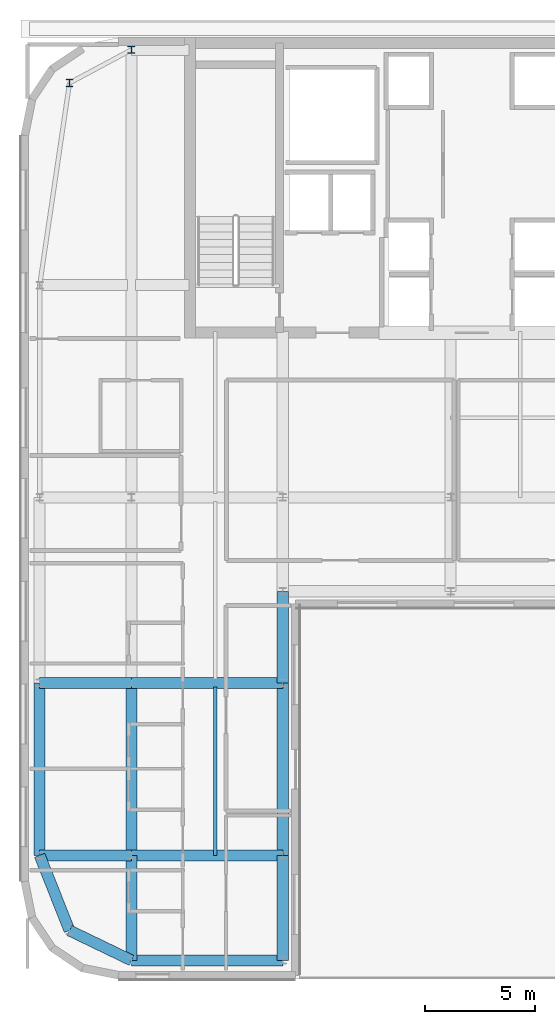
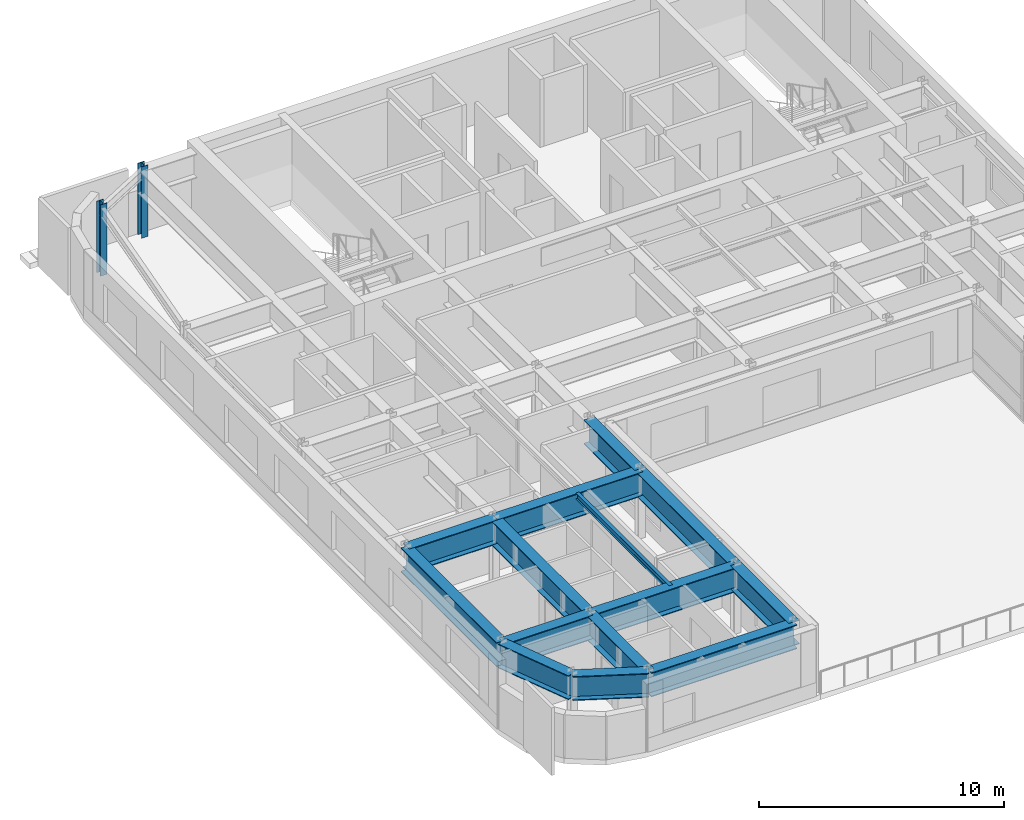
# One storey, part 3 of 16: 14 beams, 2 columns.
"""IFC4 building model written with IfcOpenShell, lengths in metres."""

from ifc_helpers import new_model, si_unit, direction, frame, origin, origin_2d, place, context, subcontext, project, spatial, i_section, extrude, source, transform, mapped, material, material_profile, profile_set, type_object, type_shapes, element, save


model = new_model("IFC4")

# Units and contexts
model_context = context("Model", 3, precision=1e-05, world=origin(), true_north=direction((0.0, 1.0)))
body_context = subcontext(model_context, "Body", "Model", "MODEL_VIEW")
ifc_project = project(units=[si_unit("LENGTHUNIT", "METRE"), si_unit("AREAUNIT", "SQUARE_METRE"), si_unit("VOLUMEUNIT", "CUBIC_METRE"), si_unit("PLANEANGLEUNIT", "RADIAN"), si_unit("MASSUNIT", "GRAM", prefix="KILO")], contexts=[model_context])

# Site, building, storey
site_placement = place(None, origin())
site = spatial("IfcSite", under=ifc_project, at=site_placement, CompositionType="ELEMENT")
building_placement = place(site_placement, origin())
building = spatial("IfcBuilding", under=site, at=building_placement, Name="Tolvann Quenvar Hotel", CompositionType="ELEMENT")
storey_placement = place(building_placement, frame((0.0, 0.0, 241.64990234375)))
storey = spatial("IfcBuildingStorey", under=building, at=storey_placement, Name="L64", CompositionType="ELEMENT", Elevation=241.64990234375)

# Columns
ifc_material = material(Name="Steel Grade 350", Category="steel")
ifc_material_profile_1 = material_profile(ifc_material, i_section(OverallWidth=0.30908203125, OverallDepth=0.321044921875, WebThickness=0.013916015625, FlangeThickness=0.021728515625, FilletRadius=0.0166015625, at=origin_2d()), Name="310UC137")
ifc_profile_set_1 = profile_set([ifc_material_profile_1], Name="Steel Grade 350")
column_type = type_object("IfcColumnType", Name="COL_310UC137", PredefinedType="COLUMN", material=ifc_profile_set_1)
shared_shape_1 = source(origin(), body_context, "Body", "SweptSolid", [
    extrude(i_section(OverallWidth=0.30908203125, OverallDepth=0.321044921875, WebThickness=0.013916015625, FlangeThickness=0.021728515625, FilletRadius=0.0166015625, at=origin_2d()), origin(), (0.0, 0.0, 1.0), 3.550048828125),
])
type_shapes(column_type, [shared_shape_1])
for number, where, z_axis, x_axis, name in (
    (1, (4.800048828125, 43.14990234375, 0.0), (0.0, 0.0, 1.0), (1.0, 0.0, 0.0), "Column BN (L64)"),
    (2, (7.60009765625, 44.64990234375, 0.0), (0.0, 0.0, 1.0), (1.0, 0.0, 0.0), "Column CN (L64)"),
):
    element("IfcColumn", number, at=place(storey_placement, frame(where, z_axis=z_axis, x_axis=x_axis)), inside=storey, type_object=column_type, Name=name, PredefinedType="COLUMN", context=body_context, shape_type="MappedRepresentation", body=[
        mapped(shared_shape_1, transform((0.0, 0.0, 0.0), x_axis=(1.0, 0.0, 0.0), y_axis=(0.0, 1.0, 0.0), z_axis=(0.0, 0.0, 1.0), scale=1.0)),
    ])

# Beams
ifc_material_profile_2 = material_profile(ifc_material, i_section(OverallWidth=0.5, OverallDepth=1.199951171875, WebThickness=0.01611328125, FlangeThickness=0.0400390625, at=origin_2d()), Name="1200WB455")
ifc_profile_set_2 = profile_set([ifc_material_profile_2], Name="Steel Grade 350")
beam_type_1 = type_object("IfcBeamType", Name="BM_TG_1200WB455", PredefinedType="USERDEFINED", material=ifc_profile_set_2)
shared_shape_2 = source(origin(), body_context, "Body", "SweptSolid", [
    extrude(i_section(OverallWidth=0.5, OverallDepth=1.199951171875, WebThickness=0.01611328125, FlangeThickness=0.0400390625, at=origin_2d()), origin(), (0.0, 0.0, 1.0), 4.150146484375),
])
for number, where, z_axis, x_axis, name in (
    (3, (3.449951171875, 8.199951171875, 2.77001953125), (1.0, 0.0, 0.0), (0.0, 1.0, 0.0), "BM-L64-EW-3-B3-C3"),
    (4, (3.449951171875, 16.0, 2.77001953125), (1.0, 0.0, 0.0), (0.0, 1.0, 0.0), "BM-L64-EW-4-B4-C4"),
):
    element("IfcBeam", number, at=place(storey_placement, frame(where, z_axis=z_axis, x_axis=x_axis)), inside=storey, type_object=beam_type_1, Name=name, ObjectType="TRANSFER GIRDER", PredefinedType="USERDEFINED", context=body_context, shape_type="MappedRepresentation", body=[
        mapped(shared_shape_2, transform((0.0, 0.0, 0.0), x_axis=(1.0, 0.0, 0.0), y_axis=(0.0, 1.0, 0.0), z_axis=(0.0, 0.0, 1.0), scale=1.0)),
    ])
shared_shape_3 = source(origin(), body_context, "Body", "SweptSolid", [
    extrude(i_section(OverallWidth=0.5, OverallDepth=1.199951171875, WebThickness=0.01611328125, FlangeThickness=0.0400390625, at=origin_2d()), origin(), (0.0, 0.0, 1.0), 7.800048828125),
])
for number, where, z_axis, x_axis, name in (
    (5, (3.449951171875, 8.199951171875, 2.77001953125), (0.0, 1.0, 0.0), (-1.0, 0.0, 0.0), "BM-L64-NS-B3-B4"),
    (6, (7.60009765625, 8.199951171875, 2.77001953125), (0.0, 1.0, 0.0), (-1.0, 0.0, 0.0), "BM-L64-NS-C3-C4"),
    (7, (14.449951171875, 8.199951171875, 2.77001953125), (0.0, 1.0, 0.0), (-1.0, 0.0, 0.0), "BM-L64-NS-D3-D4"),
):
    element("IfcBeam", number, at=place(storey_placement, frame(where, z_axis=z_axis, x_axis=x_axis)), inside=storey, type_object=beam_type_1, Name=name, ObjectType="TRANSFER GIRDER", PredefinedType="USERDEFINED", context=body_context, shape_type="MappedRepresentation", body=[
        mapped(shared_shape_3, transform((0.0, 0.0, 0.0), x_axis=(1.0, 0.0, 0.0), y_axis=(0.0, 1.0, 0.0), z_axis=(0.0, 0.0, 1.0), scale=1.0)),
    ])
shared_shape_4 = source(origin(), body_context, "Body", "SweptSolid", [
    extrude(i_section(OverallWidth=0.5, OverallDepth=1.199951171875, WebThickness=0.01611328125, FlangeThickness=0.0400390625, at=origin_2d()), origin(), (0.0, 0.0, 1.0), 3.108642578125),
])
beam_1_placement = place(storey_placement, frame((4.800048828125, 4.800048828125, 2.77001953125), z_axis=(0.900759354066, -0.434318530646, 0.0), x_axis=(0.434318530646, 0.900759354066, 0.0)))
element("IfcBeam", 8, at=beam_1_placement, inside=storey, type_object=beam_type_1, Name="BM-L64-EW-2-B2-C2", ObjectType="TRANSFER GIRDER", PredefinedType="USERDEFINED", context=body_context, shape_type="MappedRepresentation", body=[
    mapped(shared_shape_4, transform((0.0, 0.0, 0.0), x_axis=(1.0, 0.0, 0.0), y_axis=(0.0, 1.0, 0.0), z_axis=(0.0, 0.0, 1.0), scale=1.0)),
])
shared_shape_5 = source(origin(), body_context, "Body", "SweptSolid", [
    extrude(i_section(OverallWidth=0.5, OverallDepth=1.199951171875, WebThickness=0.01611328125, FlangeThickness=0.0400390625, at=origin_2d()), origin(), (0.0, 0.0, 1.0), 3.658203125),
])
beam_2_placement = place(storey_placement, frame((4.800048828125, 4.800048828125, 2.77001953125), z_axis=(-0.369065163807, 0.929403521009, 0.0), x_axis=(-0.929403521009, -0.369065163807, 0.0)))
element("IfcBeam", 9, at=beam_2_placement, inside=storey, type_object=beam_type_1, Name="BM-L64-NS-B2-B3", ObjectType="TRANSFER GIRDER", PredefinedType="USERDEFINED", context=body_context, shape_type="MappedRepresentation", body=[
    mapped(shared_shape_5, transform((0.0, 0.0, 0.0), x_axis=(1.0, 0.0, 0.0), y_axis=(0.0, 1.0, 0.0), z_axis=(0.0, 0.0, 1.0), scale=1.0)),
])
shared_shape_6 = source(origin(), body_context, "Body", "SweptSolid", [
    extrude(i_section(OverallWidth=0.5, OverallDepth=1.199951171875, WebThickness=0.01611328125, FlangeThickness=0.0400390625, at=origin_2d()), origin(), (0.0, 0.0, 1.0), 4.75),
])
for number, where, z_axis, x_axis, name in (
    (10, (7.60009765625, 3.449951171875, 2.77001953125), (0.0, 1.0, 0.0), (-1.0, 0.0, 0.0), "BM-L64-NS-C2-C3"),
    (11, (14.449951171875, 3.449951171875, 2.77001953125), (0.0, 1.0, 0.0), (-1.0, 0.0, 0.0), "BM-L64-NS-D2-D3"),
):
    element("IfcBeam", number, at=place(storey_placement, frame(where, z_axis=z_axis, x_axis=x_axis)), inside=storey, type_object=beam_type_1, Name=name, ObjectType="TRANSFER GIRDER", PredefinedType="USERDEFINED", context=body_context, shape_type="MappedRepresentation", body=[
        mapped(shared_shape_6, transform((0.0, 0.0, 0.0), x_axis=(1.0, 0.0, 0.0), y_axis=(0.0, 1.0, 0.0), z_axis=(0.0, 0.0, 1.0), scale=1.0)),
    ])
shared_shape_7 = source(origin(), body_context, "Body", "SweptSolid", [
    extrude(i_section(OverallWidth=0.5, OverallDepth=1.199951171875, WebThickness=0.01611328125, FlangeThickness=0.0400390625, at=origin_2d()), origin(), (0.0, 0.0, 1.0), 6.849853515625),
])
for number, where, z_axis, x_axis, name in (
    (12, (7.60009765625, 3.449951171875, 2.77001953125), (1.0, 0.0, 0.0), (0.0, 1.0, 0.0), "BM-L64-EW-2-C2-D2"),
    (13, (7.60009765625, 8.199951171875, 2.77001953125), (1.0, 0.0, 0.0), (0.0, 1.0, 0.0), "BM-L64-EW-3-C3-D3"),
    (14, (7.60009765625, 16.0, 2.77001953125), (1.0, 0.0, 0.0), (0.0, 1.0, 0.0), "BM-L64-EW-4-C4-D4"),
):
    element("IfcBeam", number, at=place(storey_placement, frame(where, z_axis=z_axis, x_axis=x_axis)), inside=storey, type_object=beam_type_1, Name=name, ObjectType="TRANSFER GIRDER", PredefinedType="USERDEFINED", context=body_context, shape_type="MappedRepresentation", body=[
        mapped(shared_shape_7, transform((0.0, 0.0, 0.0), x_axis=(1.0, 0.0, 0.0), y_axis=(0.0, 1.0, 0.0), z_axis=(0.0, 0.0, 1.0), scale=1.0)),
    ])
shared_shape_8 = source(origin(), body_context, "Body", "SweptSolid", [
    extrude(i_section(OverallWidth=0.5, OverallDepth=1.199951171875, WebThickness=0.01611328125, FlangeThickness=0.0400390625, at=origin_2d()), origin(), (0.0, 0.0, 1.0), 4.14990234375),
])
type_shapes(beam_type_1, [shared_shape_2, shared_shape_3, shared_shape_4, shared_shape_5, shared_shape_6, shared_shape_7, shared_shape_8])
beam_3_placement = place(storey_placement, frame((14.449951171875, 16.0, 2.77001953125), z_axis=(0.0, 1.0, 0.0), x_axis=(-1.0, 0.0, 0.0)))
element("IfcBeam", 15, at=beam_3_placement, inside=storey, type_object=beam_type_1, Name="BM-L64-NS-D4-D4P", ObjectType="TRANSFER GIRDER", PredefinedType="USERDEFINED", context=body_context, shape_type="MappedRepresentation", body=[
    mapped(shared_shape_8, transform((0.0, 0.0, 0.0), x_axis=(1.0, 0.0, 0.0), y_axis=(0.0, 1.0, 0.0), z_axis=(0.0, 0.0, 1.0), scale=1.0)),
])
ifc_material_profile_3 = material_profile(ifc_material, i_section(OverallWidth=0.166015625, OverallDepth=0.306884765625, WebThickness=0.006591796875, FlangeThickness=0.01171875, FilletRadius=0.011474609375, at=origin_2d()), Name="310UB46")
ifc_profile_set_3 = profile_set([ifc_material_profile_3], Name="Steel Grade 350")
beam_type_2 = type_object("IfcBeamType", Name="BM_JOIST_310UB46", PredefinedType="JOIST", material=ifc_profile_set_3)
shared_shape_9 = source(origin(), body_context, "Body", "SweptSolid", [
    extrude(i_section(OverallWidth=0.166015625, OverallDepth=0.306884765625, WebThickness=0.006591796875, FlangeThickness=0.01171875, FilletRadius=0.011474609375, at=origin_2d()), origin(), (0.0, 0.0, 1.0), 7.614990234375),
])
type_shapes(beam_type_2, [shared_shape_9])
beam_4_placement = place(storey_placement, frame((11.39990234375, 8.199951171875, 3.216552734375), z_axis=(0.0, 1.0, 0.0), x_axis=(-1.0, 0.0, 0.0)))
element("IfcBeam", 16, at=beam_4_placement, inside=storey, type_object=beam_type_2, Name="BJ-L64-114-82", PredefinedType="JOIST", context=body_context, shape_type="MappedRepresentation", body=[
    mapped(shared_shape_9, transform((0.0, 0.0, 0.0), x_axis=(1.0, 0.0, 0.0), y_axis=(0.0, 1.0, 0.0), z_axis=(0.0, 0.0, 1.0), scale=1.0)),
])

save(model, "model.ifc")
